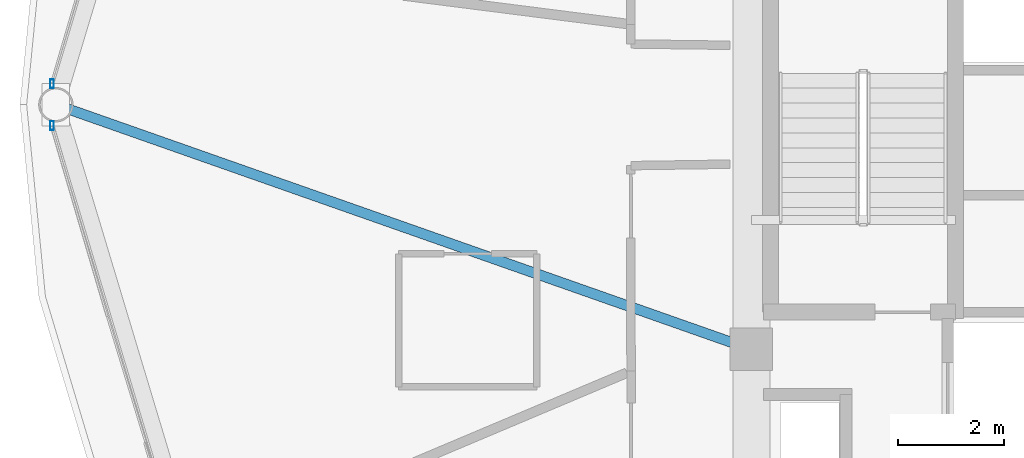
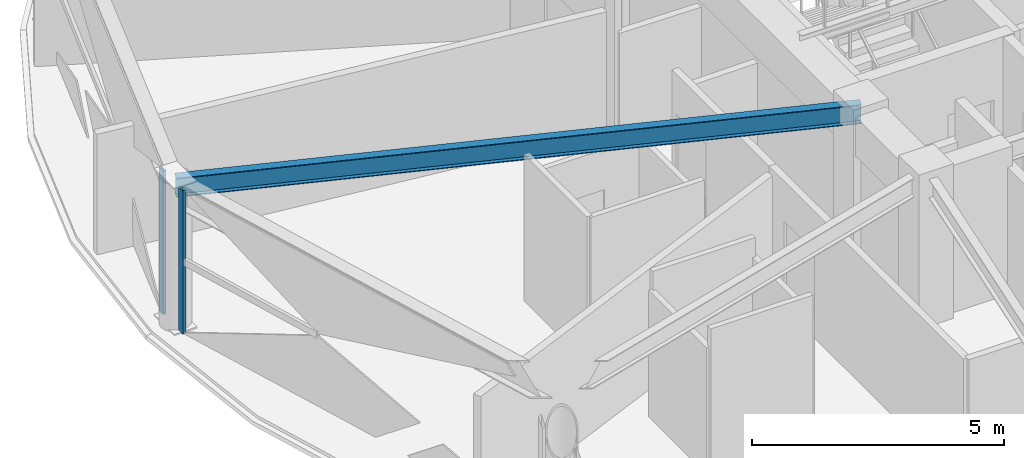
# One storey, part 7 of 30: 2 members, 1 beam, 2 elements without a shape of their own.
"""IFC4 building model written with IfcOpenShell, lengths in metres."""

from ifc_helpers import new_model, si_unit, direction, frame, origin, origin_2d, place, context, subcontext, project, spatial, hollow_rectangle, i_section, extrude, material, layer, layer_set, material_profile, profile_set, type_object, element, aggregate, save


model = new_model("IFC4")

# Units and contexts
model_context = context("Model", 3, precision=1e-05, world=origin(), true_north=direction((0.0, 1.0)))
body_context = subcontext(model_context, "Body", "Model", "MODEL_VIEW")
ifc_project = project(units=[si_unit("LENGTHUNIT", "METRE"), si_unit("AREAUNIT", "SQUARE_METRE"), si_unit("VOLUMEUNIT", "CUBIC_METRE"), si_unit("PLANEANGLEUNIT", "RADIAN"), si_unit("MASSUNIT", "GRAM", prefix="KILO")], contexts=[model_context])

# Site, building, storey
site_placement = place(None, origin())
site = spatial("IfcSite", under=ifc_project, at=site_placement, CompositionType="ELEMENT")
building_placement = place(site_placement, origin())
building = spatial("IfcBuilding", under=site, at=building_placement, Name="Vantalir Tower", CompositionType="ELEMENT")
storey_placement = place(building_placement, frame((0.0, 0.0, 186.14990234375)))
storey = spatial("IfcBuildingStorey", under=building, at=storey_placement, Name="L46", CompositionType="ELEMENT", Elevation=186.14990234375)

# Beam
ifc_material_1 = material(Name="Steel S355", Category="steel")
ifc_material_profile_1 = material_profile(ifc_material_1, i_section(OverallWidth=0.19189453125, OverallDepth=0.462890625, WebThickness=0.010498046875, FlangeThickness=0.017578125, at=origin_2d()), Name="Steel S355")
ifc_profile_set_1 = profile_set([ifc_material_profile_1], Name="Steel S355")
beam_type = type_object("IfcBeamType", Name="BM-RB-457x191", PredefinedType="BEAM", material=ifc_profile_set_1)
beam_placement = place(storey_placement, frame((8.823974609375, 25.0, 3.338134765625), z_axis=(0.943328014031, -0.331861805492, 0.0), x_axis=(0.331861805492, 0.943328014031, 0.0)))
element("IfcBeam", 1, at=beam_placement, inside=storey, type_object=beam_type, Name="L46 Radial Floor Beam 07", PredefinedType="BEAM", context=body_context, shape_type="SweptSolid", body=[
    extrude(i_section(OverallWidth=0.19189453125, OverallDepth=0.462890625, WebThickness=0.010498046875, FlangeThickness=0.017578125, at=origin_2d()), origin(), (0.0, 0.0, 1.0), 13.861572265625),
])

# Curtain wall, member
ifc_material_2 = material(Name="Champagne-silver PVDF aluminium and double-silver Low-E glass", Category="aluminium")
ifc_layer = layer(ifc_material_2, 0.2099609375)
ifc_layer_set = layer_set([ifc_layer], Name="Champagne-silver PVDF aluminium and double-silver Low-E glass")
curtain_wall_type = type_object("IfcCurtainWallType", Name="CW-DIAMOND-Z3", PredefinedType="USERDEFINED", material=ifc_layer_set)
curtain_wall_1_placement = place(storey_placement, origin())
curtain_wall_1 = element("IfcCurtainWall", 2, at=curtain_wall_1_placement, inside=storey, type_object=curtain_wall_type, Name="L46 Quilted Pyramid-Diamond Curtain Wall S06", ObjectType="UNITISED CURTAIN WALL", PredefinedType="USERDEFINED")
ifc_material_3 = material(Name="Champagne-silver PVDF aluminium 6063-T6", Category="aluminium")
ifc_material_profile_2 = material_profile(ifc_material_3, hollow_rectangle(XDim=0.070068359375, YDim=0.1650390625, WallThickness=0.00390625, at=origin_2d()), Name="Champagne-silver PVDF aluminium 6063-T6")
ifc_profile_set_2 = profile_set([ifc_material_profile_2], Name="Champagne-silver PVDF aluminium 6063-T6")
member_type = type_object("IfcMemberType", Name="CWM-165x70", PredefinedType="MULLION", material=ifc_profile_set_2)
member_1_placement = place(storey_placement, frame((8.751953125, 25.39306640625, 0.045166015625), z_axis=(0.0, 0.0, 1.0), x_axis=(1.0, 0.0, 0.0)))
member_1 = element("IfcMember", 3, at=member_1_placement, type_object=member_type, Name="CW-L46-S06 Mullion 2", PredefinedType="MULLION", context=body_context, shape_type="SweptSolid", body=[
    extrude(hollow_rectangle(XDim=0.070068359375, YDim=0.1650390625, WallThickness=0.00390625, at=origin_2d()), origin(), (0.0, 0.0, 1.0), 3.47998046875),
])
aggregate(curtain_wall_1, [member_1])

curtain_wall_2_placement = place(storey_placement, origin())
curtain_wall_2 = element("IfcCurtainWall", 4, at=curtain_wall_2_placement, inside=storey, type_object=curtain_wall_type, Name="L46 Quilted Pyramid-Diamond Curtain Wall S07", ObjectType="UNITISED CURTAIN WALL", PredefinedType="USERDEFINED")
member_2_placement = place(storey_placement, frame((8.751953125, 24.60693359375, 0.045166015625), z_axis=(0.0, 0.0, 1.0), x_axis=(1.0, 0.0, 0.0)))
member_2 = element("IfcMember", 5, at=member_2_placement, type_object=member_type, Name="CW-L46-S07 Mullion 1", PredefinedType="MULLION", context=body_context, shape_type="SweptSolid", body=[
    extrude(hollow_rectangle(XDim=0.070068359375, YDim=0.1650390625, WallThickness=0.00390625, at=origin_2d()), origin(), (0.0, 0.0, 1.0), 3.47998046875),
])
aggregate(curtain_wall_2, [member_2])

save(model, "model.ifc")
